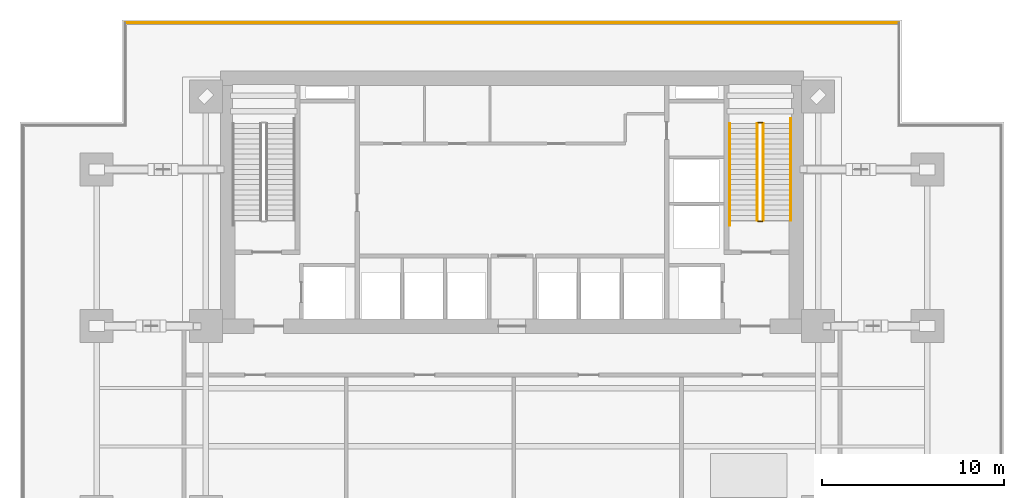
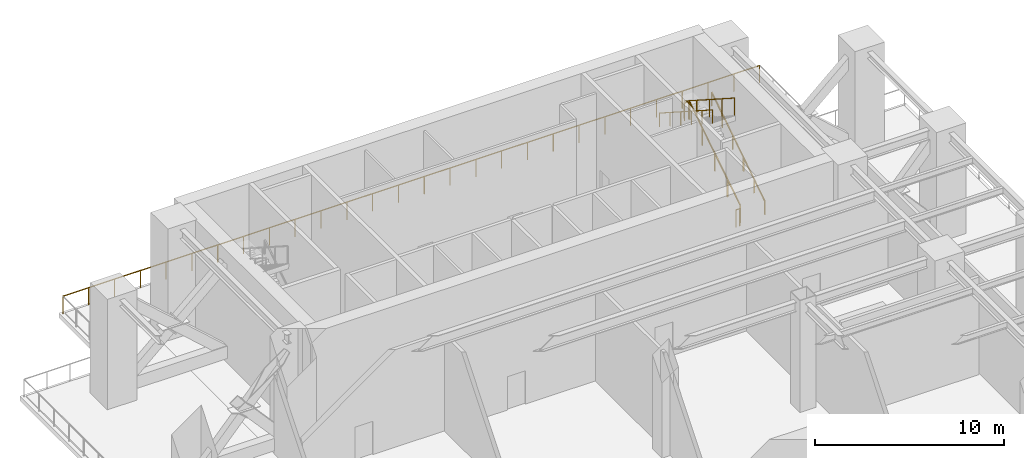
# One storey, part 8 of 10: 7 railings.
"""IFC4 building model written with IfcOpenShell, lengths in metres."""

from ifc_helpers import new_model, si_unit, direction, frame, origin, origin_2d, place, context, subcontext, project, spatial, rectangle, extrude, material, type_object, element, save


model = new_model("IFC4")

# Units and contexts
model_context = context("Model", 3, precision=1e-05, world=origin(), true_north=direction((0.0, 1.0)))
body_context = subcontext(model_context, "Body", "Model", "MODEL_VIEW")
ifc_project = project(units=[si_unit("LENGTHUNIT", "METRE"), si_unit("AREAUNIT", "SQUARE_METRE"), si_unit("VOLUMEUNIT", "CUBIC_METRE"), si_unit("PLANEANGLEUNIT", "RADIAN"), si_unit("MASSUNIT", "GRAM", prefix="KILO")], contexts=[model_context])

# Site, building, storey
site_placement = place(None, origin())
site = spatial("IfcSite", under=ifc_project, at=site_placement, CompositionType="ELEMENT")
building_placement = place(site_placement, origin())
building = spatial("IfcBuilding", under=site, at=building_placement, Name="Sumidabori Civic Tower", CompositionType="ELEMENT")
storey_placement = place(building_placement, frame((0.0, 0.0, 70.39990234375)))
storey = spatial("IfcBuildingStorey", under=building, at=storey_placement, Name="L18", CompositionType="ELEMENT", Elevation=70.39990234375)

# Railings
ifc_material_1 = material(Name="Anodised Bronze Aluminium AW-6063-T6", Category="aluminium")
railing_type_1 = type_object("IfcRailingType", Name="RL-BAL-1150", PredefinedType="BALUSTRADE", material=ifc_material_1)
railing_1_placement = place(storey_placement, frame((-21.239990234375, 26.840087890625, 0.0)))
element("IfcRailing", 1, at=railing_1_placement, inside=storey, type_object=railing_type_1, Name="Wind-Slot Refuge Portal Safety Guard L18-06", PredefinedType="BALUSTRADE", context=body_context, shape_type="SweptSolid", body=[
    extrude(rectangle(XDim=0.048095703125, YDim=0.048095703125, at=origin_2d()), frame((0.0, 0.0, 1.1259765625), z_axis=(1.0, 0.0, 0.0), x_axis=(0.0, 1.0, 0.0)), (0.0, 0.0, 1.0), 42.47998046875),
    extrude(rectangle(XDim=0.0419921875, YDim=0.0419921875, at=origin_2d()), origin(), (0.0, 0.0, 1.0), 1.101806640625),
    extrude(rectangle(XDim=0.0419921875, YDim=0.0419921875, at=origin_2d()), frame((1.5732421875, 0.0, 0.0)), (0.0, 0.0, 1.0), 1.101806640625),
    extrude(rectangle(XDim=0.0419921875, YDim=0.0419921875, at=origin_2d()), frame((3.146728515625, 0.0, 0.0)), (0.0, 0.0, 1.0), 1.101806640625),
    extrude(rectangle(XDim=0.0419921875, YDim=0.0419921875, at=origin_2d()), frame((4.719970703125, 0.0, 0.0)), (0.0, 0.0, 1.0), 1.101806640625),
    extrude(rectangle(XDim=0.0419921875, YDim=0.0419921875, at=origin_2d()), frame((6.293212890625, 0.0, 0.0)), (0.0, 0.0, 1.0), 1.101806640625),
    extrude(rectangle(XDim=0.0419921875, YDim=0.0419921875, at=origin_2d()), frame((7.86669921875, 0.0, 0.0)), (0.0, 0.0, 1.0), 1.101806640625),
    extrude(rectangle(XDim=0.0419921875, YDim=0.0419921875, at=origin_2d()), frame((9.43994140625, 0.0, 0.0)), (0.0, 0.0, 1.0), 1.101806640625),
    extrude(rectangle(XDim=0.0419921875, YDim=0.0419921875, at=origin_2d()), frame((11.013427734375, 0.0, 0.0)), (0.0, 0.0, 1.0), 1.101806640625),
    extrude(rectangle(XDim=0.0419921875, YDim=0.0419921875, at=origin_2d()), frame((12.586669921875, 0.0, 0.0)), (0.0, 0.0, 1.0), 1.101806640625),
    extrude(rectangle(XDim=0.0419921875, YDim=0.0419921875, at=origin_2d()), frame((14.159912109375, 0.0, 0.0)), (0.0, 0.0, 1.0), 1.101806640625),
    extrude(rectangle(XDim=0.0419921875, YDim=0.0419921875, at=origin_2d()), frame((15.7333984375, 0.0, 0.0)), (0.0, 0.0, 1.0), 1.101806640625),
    extrude(rectangle(XDim=0.0419921875, YDim=0.0419921875, at=origin_2d()), frame((17.306640625, 0.0, 0.0)), (0.0, 0.0, 1.0), 1.101806640625),
    extrude(rectangle(XDim=0.0419921875, YDim=0.0419921875, at=origin_2d()), frame((18.8798828125, 0.0, 0.0)), (0.0, 0.0, 1.0), 1.101806640625),
    extrude(rectangle(XDim=0.0419921875, YDim=0.0419921875, at=origin_2d()), frame((20.453369140625, 0.0, 0.0)), (0.0, 0.0, 1.0), 1.101806640625),
    extrude(rectangle(XDim=0.0419921875, YDim=0.0419921875, at=origin_2d()), frame((22.026611328125, 0.0, 0.0)), (0.0, 0.0, 1.0), 1.101806640625),
    extrude(rectangle(XDim=0.0419921875, YDim=0.0419921875, at=origin_2d()), frame((23.60009765625, 0.0, 0.0)), (0.0, 0.0, 1.0), 1.101806640625),
    extrude(rectangle(XDim=0.0419921875, YDim=0.0419921875, at=origin_2d()), frame((25.17333984375, 0.0, 0.0)), (0.0, 0.0, 1.0), 1.101806640625),
    extrude(rectangle(XDim=0.0419921875, YDim=0.0419921875, at=origin_2d()), frame((26.74658203125, 0.0, 0.0)), (0.0, 0.0, 1.0), 1.101806640625),
    extrude(rectangle(XDim=0.0419921875, YDim=0.0419921875, at=origin_2d()), frame((28.320068359375, 0.0, 0.0)), (0.0, 0.0, 1.0), 1.101806640625),
    extrude(rectangle(XDim=0.0419921875, YDim=0.0419921875, at=origin_2d()), frame((29.893310546875, 0.0, 0.0)), (0.0, 0.0, 1.0), 1.101806640625),
    extrude(rectangle(XDim=0.0419921875, YDim=0.0419921875, at=origin_2d()), frame((31.466552734375, 0.0, 0.0)), (0.0, 0.0, 1.0), 1.101806640625),
    extrude(rectangle(XDim=0.0419921875, YDim=0.0419921875, at=origin_2d()), frame((33.0400390625, 0.0, 0.0)), (0.0, 0.0, 1.0), 1.101806640625),
    extrude(rectangle(XDim=0.0419921875, YDim=0.0419921875, at=origin_2d()), frame((34.61328125, 0.0, 0.0)), (0.0, 0.0, 1.0), 1.101806640625),
    extrude(rectangle(XDim=0.0419921875, YDim=0.0419921875, at=origin_2d()), frame((36.186767578125, 0.0, 0.0)), (0.0, 0.0, 1.0), 1.101806640625),
    extrude(rectangle(XDim=0.0419921875, YDim=0.0419921875, at=origin_2d()), frame((37.760009765625, 0.0, 0.0)), (0.0, 0.0, 1.0), 1.101806640625),
    extrude(rectangle(XDim=0.0419921875, YDim=0.0419921875, at=origin_2d()), frame((39.333251953125, 0.0, 0.0)), (0.0, 0.0, 1.0), 1.101806640625),
    extrude(rectangle(XDim=0.0419921875, YDim=0.0419921875, at=origin_2d()), frame((40.90673828125, 0.0, 0.0)), (0.0, 0.0, 1.0), 1.101806640625),
    extrude(rectangle(XDim=0.0419921875, YDim=0.0419921875, at=origin_2d()), frame((42.47998046875, 0.0, 0.0)), (0.0, 0.0, 1.0), 1.101806640625),
])
ifc_material_2 = material(Name="Stainless Steel Hairline Finish", Category="steel")
railing_type_2 = type_object("IfcRailingType", Name="RL-HANDRAIL", PredefinedType="HANDRAIL", material=ifc_material_2)
railing_2_placement = place(storey_placement, frame((15.2900390625, 16.0, 0.18017578125)))
element("IfcRailing", 2, at=railing_2_placement, inside=storey, type_object=railing_type_2, Name="L18 ST-2 stair handrail 1", PredefinedType="HANDRAIL", context=body_context, shape_type="SweptSolid", body=[
    extrude(rectangle(XDim=0.048095703125, YDim=0.048095703125, at=origin_2d()), frame((0.0, 0.0, 0.8759765625), z_axis=(0.0, 0.840925860763, 0.541150345746), x_axis=(-1.0, 0.0, 0.0)), (0.0, 0.0, 1.0), 6.659423828125),
    extrude(rectangle(XDim=0.0419921875, YDim=0.0419921875, at=origin_2d()), origin(), (0.0, 0.0, 1.0), 0.851806640625),
    extrude(rectangle(XDim=0.0419921875, YDim=0.0419921875, at=origin_2d()), frame((0.0, 1.1201171875, 0.720703125)), (0.0, 0.0, 1.0), 0.851806640625),
    extrude(rectangle(XDim=0.0419921875, YDim=0.0419921875, at=origin_2d()), frame((0.0, 2.239990234375, 1.44140625)), (0.0, 0.0, 1.0), 0.851806640625),
    extrude(rectangle(XDim=0.0419921875, YDim=0.0419921875, at=origin_2d()), frame((0.0, 3.360107421875, 2.162353515625)), (0.0, 0.0, 1.0), 0.851806640625),
    extrude(rectangle(XDim=0.0419921875, YDim=0.0419921875, at=origin_2d()), frame((0.0, 4.47998046875, 2.883056640625)), (0.0, 0.0, 1.0), 0.851806640625),
    extrude(rectangle(XDim=0.0419921875, YDim=0.0419921875, at=origin_2d()), frame((0.0, 5.60009765625, 3.603759765625)), (0.0, 0.0, 1.0), 0.851806640625),
])
railing_3_placement = place(storey_placement, frame((11.949951171875, 21.320068359375, 3.780029296875)))
element("IfcRailing", 3, at=railing_3_placement, inside=storey, type_object=railing_type_2, Name="L18 ST-2 stair handrail 2", PredefinedType="HANDRAIL", context=body_context, shape_type="SweptSolid", body=[
    extrude(rectangle(XDim=0.048095703125, YDim=0.048095703125, at=origin_2d()), frame((0.0, 0.0, 0.8759765625), z_axis=(0.0, -0.840925860763, 0.541150345746), x_axis=(1.0, 0.0, 0.0)), (0.0, 0.0, 1.0), 6.659423828125),
    extrude(rectangle(XDim=0.0419921875, YDim=0.0419921875, at=origin_2d()), origin(), (0.0, 0.0, 1.0), 0.851806640625),
    extrude(rectangle(XDim=0.0419921875, YDim=0.0419921875, at=origin_2d()), frame((0.0, -1.1201171875, 0.720703125)), (0.0, 0.0, 1.0), 0.851806640625),
    extrude(rectangle(XDim=0.0419921875, YDim=0.0419921875, at=origin_2d()), frame((0.0, -2.239990234375, 1.44140625)), (0.0, 0.0, 1.0), 0.851806640625),
    extrude(rectangle(XDim=0.0419921875, YDim=0.0419921875, at=origin_2d()), frame((0.0, -3.360107421875, 2.162353515625)), (0.0, 0.0, 1.0), 0.851806640625),
    extrude(rectangle(XDim=0.0419921875, YDim=0.0419921875, at=origin_2d()), frame((0.0, -4.47998046875, 2.883056640625)), (0.0, 0.0, 1.0), 0.851806640625),
    extrude(rectangle(XDim=0.0419921875, YDim=0.0419921875, at=origin_2d()), frame((0.0, -5.60009765625, 3.603759765625)), (0.0, 0.0, 1.0), 0.851806640625),
])
ifc_material_3 = material(Name="Steel SN490", Category="steel")
railing_type_3 = type_object("IfcRailingType", Name="RL-STAIR-GUARD", PredefinedType="GUARDRAIL", material=ifc_material_3)
railing_4_placement = place(storey_placement, frame((13.7900390625, 16.0, 0.18017578125)))
element("IfcRailing", 4, at=railing_4_placement, inside=storey, type_object=railing_type_3, Name="L18 ST-2 stair guard 1", PredefinedType="GUARDRAIL", context=body_context, shape_type="SweptSolid", body=[
    extrude(rectangle(XDim=0.048095703125, YDim=0.048095703125, at=origin_2d()), frame((0.0, 0.0, 1.1259765625), z_axis=(0.0, 0.841187254898, 0.540743934037), x_axis=(-1.0, 0.0, 0.0)), (0.0, 0.0, 1.0), 6.324462890625),
    extrude(rectangle(XDim=0.0419921875, YDim=0.0419921875, at=origin_2d()), origin(), (0.0, 0.0, 1.0), 1.101806640625),
    extrude(rectangle(XDim=0.0419921875, YDim=0.0419921875, at=origin_2d()), frame((0.0, 1.330078125, 0.85498046875)), (0.0, 0.0, 1.0), 1.101806640625),
    extrude(rectangle(XDim=0.0419921875, YDim=0.0419921875, at=origin_2d()), frame((0.0, 2.66015625, 1.7099609375)), (0.0, 0.0, 1.0), 1.101806640625),
    extrude(rectangle(XDim=0.0419921875, YDim=0.0419921875, at=origin_2d()), frame((0.0, 3.989990234375, 2.56494140625)), (0.0, 0.0, 1.0), 1.101806640625),
    extrude(rectangle(XDim=0.0419921875, YDim=0.0419921875, at=origin_2d()), frame((0.0, 5.320068359375, 3.419921875)), (0.0, 0.0, 1.0), 1.101806640625),
])
railing_5_placement = place(storey_placement, frame((13.739990234375, 21.3701171875, 3.60009765625)))
element("IfcRailing", 5, at=railing_5_placement, inside=storey, type_object=railing_type_3, Name="L18 ST-2 stair guard 2", PredefinedType="GUARDRAIL", context=body_context, shape_type="SweptSolid", body=[
    extrude(rectangle(XDim=0.048095703125, YDim=0.048095703125, at=origin_2d()), frame((0.0, 0.0, 1.1259765625), z_axis=(-1.0, 0.0, 0.0), x_axis=(0.0, -1.0, 0.0)), (0.0, 0.0, 1.0), 0.239990234375),
    extrude(rectangle(XDim=0.0419921875, YDim=0.0419921875, at=origin_2d()), origin(), (0.0, 0.0, 1.0), 1.101806640625),
    extrude(rectangle(XDim=0.0419921875, YDim=0.0419921875, at=origin_2d()), frame((-0.239990234375, 0.0, 0.0)), (0.0, 0.0, 1.0), 1.101806640625),
])
railing_6_placement = place(storey_placement, frame((13.449951171875, 21.320068359375, 3.780029296875)))
element("IfcRailing", 6, at=railing_6_placement, inside=storey, type_object=railing_type_3, Name="L18 ST-2 stair guard 3", PredefinedType="GUARDRAIL", context=body_context, shape_type="SweptSolid", body=[
    extrude(rectangle(XDim=0.048095703125, YDim=0.048095703125, at=origin_2d()), frame((0.0, 0.0, 1.1259765625), z_axis=(0.0, -0.841169695817, 0.540771248162), x_axis=(1.0, 0.0, 0.0)), (0.0, 0.0, 1.0), 6.32470703125),
    extrude(rectangle(XDim=0.0419921875, YDim=0.0419921875, at=origin_2d()), origin(), (0.0, 0.0, 1.0), 1.101806640625),
    extrude(rectangle(XDim=0.0419921875, YDim=0.0419921875, at=origin_2d()), frame((0.0, -1.330078125, 0.85498046875)), (0.0, 0.0, 1.0), 1.101806640625),
    extrude(rectangle(XDim=0.0419921875, YDim=0.0419921875, at=origin_2d()), frame((0.0, -2.66015625, 1.7099609375)), (0.0, 0.0, 1.0), 1.101806640625),
    extrude(rectangle(XDim=0.0419921875, YDim=0.0419921875, at=origin_2d()), frame((0.0, -3.989990234375, 2.565185546875)), (0.0, 0.0, 1.0), 1.101806640625),
    extrude(rectangle(XDim=0.0419921875, YDim=0.0419921875, at=origin_2d()), frame((0.0, -5.320068359375, 3.420166015625)), (0.0, 0.0, 1.0), 1.101806640625),
])
railing_7_placement = place(storey_placement, frame((13.739990234375, 15.949951171875, 0.0)))
element("IfcRailing", 7, at=railing_7_placement, inside=storey, type_object=railing_type_3, Name="L18 ST-2 stair guard 4", PredefinedType="GUARDRAIL", context=body_context, shape_type="SweptSolid", body=[
    extrude(rectangle(XDim=0.048095703125, YDim=0.048095703125, at=origin_2d()), frame((0.0, 0.0, 1.1259765625), z_axis=(-1.0, 0.0, 0.0), x_axis=(0.0, -1.0, 0.0)), (0.0, 0.0, 1.0), 0.239990234375),
    extrude(rectangle(XDim=0.0419921875, YDim=0.0419921875, at=origin_2d()), origin(), (0.0, 0.0, 1.0), 1.101806640625),
    extrude(rectangle(XDim=0.0419921875, YDim=0.0419921875, at=origin_2d()), frame((-0.239990234375, 0.0, 0.0)), (0.0, 0.0, 1.0), 1.101806640625),
])

save(model, "model.ifc")
